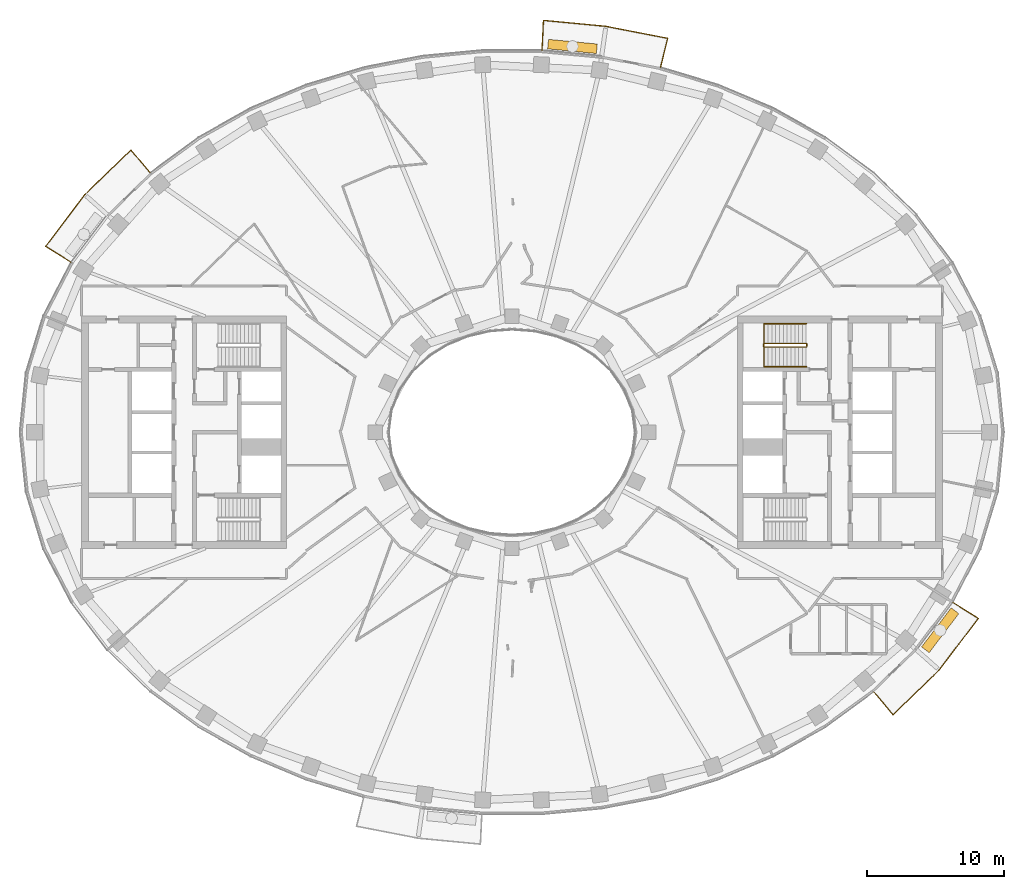
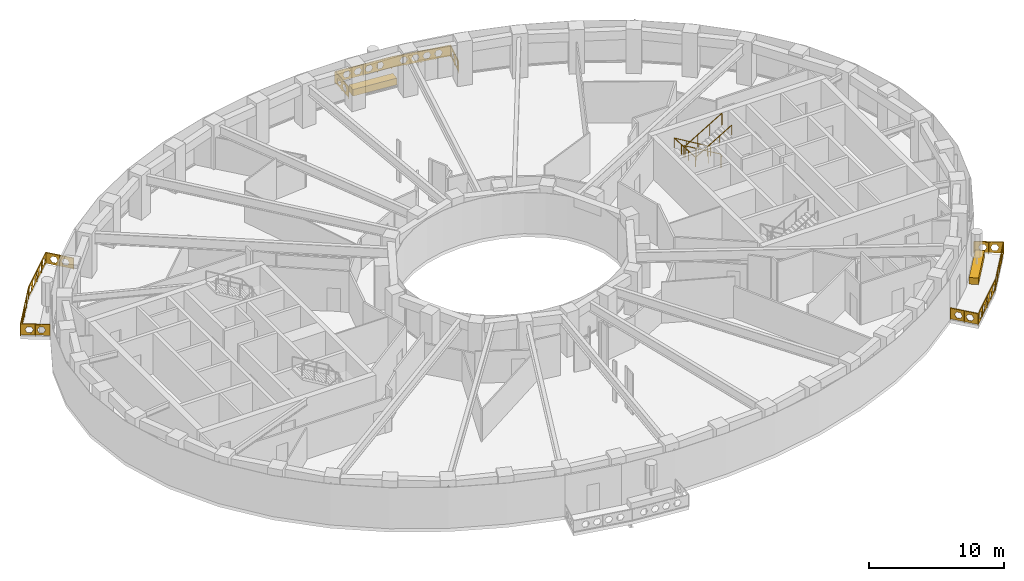
# One storey, part 16 of 17: 5 railings, 2 coverings.
"""IFC4 building model written with IfcOpenShell, lengths in metres."""

from ifc_helpers import new_model, si_unit, direction, frame, origin, origin_2d, place, context, subcontext, project, spatial, polyline, rectangle, outline, extrude, material, type_object, element, save


model = new_model("IFC4")

# Units and contexts
model_context = context("Model", 3, precision=1e-05, world=origin(), true_north=direction((0.0, 1.0)))
body_context = subcontext(model_context, "Body", "Model", "MODEL_VIEW")
ifc_project = project(units=[si_unit("LENGTHUNIT", "METRE"), si_unit("AREAUNIT", "SQUARE_METRE"), si_unit("VOLUMEUNIT", "CUBIC_METRE"), si_unit("PLANEANGLEUNIT", "RADIAN"), si_unit("MASSUNIT", "GRAM", prefix="KILO")], contexts=[model_context])

# Site, building, storey
site_placement = place(None, origin())
site = spatial("IfcSite", under=ifc_project, at=site_placement, CompositionType="ELEMENT")
building_placement = place(site_placement, origin())
building = spatial("IfcBuilding", under=site, at=building_placement, Name="Noorbagh Ring Tower", CompositionType="ELEMENT")
storey_placement = place(building_placement, frame((0.0, 0.0, 190.0)))
storey = spatial("IfcBuildingStorey", under=building, at=storey_placement, Name="L44", CompositionType="ELEMENT", Elevation=190.0)

# Railings
ifc_material_1 = material(Name="Stainless steel", Category="steel")
railing_type_1 = type_object("IfcRailingType", Name="CORE-STAIR-GUARD", PredefinedType="GUARDRAIL", material=ifc_material_1)
railing_1_placement = place(storey_placement, frame((21.580078125, 6.449951171875, 0.0)))
element("IfcRailing", 1, at=railing_1_placement, inside=storey, type_object=railing_type_1, Name="L44 ST3 stair guard", PredefinedType="GUARDRAIL", context=body_context, shape_type="SweptSolid", body=[
    extrude(rectangle(XDim=0.048095703125, YDim=0.048095703125, at=origin_2d()), frame((0.0, 0.0, 1.076171875), z_axis=(0.0, -1.0, 0.0), x_axis=(1.0, 0.0, 0.0)), (0.0, 0.0, 1.0), 0.14990234375),
    extrude(rectangle(XDim=0.048095703125, YDim=0.048095703125, at=origin_2d()), frame((0.0, -0.14990234375, 1.076171875), z_axis=(-0.188775798145, 0.754182335027, 0.628945707965), x_axis=(-0.970072785993, -0.242814311512, 0.0)), (0.0, 0.0, 1.0), 0.26513671875),
    extrude(rectangle(XDim=0.048095703125, YDim=0.048095703125, at=origin_2d()), frame((-0.050048828125, 0.050048828125, 1.24267578125), z_axis=(-0.859308565015, 0.0, 0.511457515432), x_axis=(0.0, -1.0, 0.0)), (0.0, 0.0, 1.0), 3.58447265625),
    extrude(rectangle(XDim=0.048095703125, YDim=0.048095703125, at=origin_2d()), frame((-3.130126953125, 0.050048828125, 3.076171875), z_axis=(-0.707106781187, -0.707106781187, 0.0), x_axis=(0.707106781187, -0.707106781187, 0.0)), (0.0, 0.0, 1.0), 0.07080078125),
    extrude(rectangle(XDim=0.048095703125, YDim=0.048095703125, at=origin_2d()), frame((-3.18017578125, 0.0, 3.076171875), z_axis=(0.0, -1.0, 0.0), x_axis=(1.0, 0.0, 0.0)), (0.0, 0.0, 1.0), 0.14990234375),
    extrude(rectangle(XDim=0.048095703125, YDim=0.048095703125, at=origin_2d()), frame((-3.18017578125, -0.14990234375, 3.076171875), z_axis=(0.27628659633, -0.27628659633, 0.920506074601), x_axis=(0.707106781187, 0.707106781187, 0.0)), (0.0, 0.0, 1.0), 0.18115234375),
    extrude(rectangle(XDim=0.048095703125, YDim=0.048095703125, at=origin_2d()), frame((-3.130126953125, -0.199951171875, 3.24267578125), z_axis=(0.859308565015, 0.0, 0.511457515432), x_axis=(0.0, 1.0, 0.0)), (0.0, 0.0, 1.0), 3.58447265625),
    extrude(rectangle(XDim=0.0419921875, YDim=0.0419921875, at=origin_2d()), origin(), (0.0, 0.0, 1.0), 1.052001953125),
    extrude(rectangle(XDim=0.0419921875, YDim=0.0419921875, at=origin_2d()), frame((-1.07666015625, 0.050048828125, 0.77783203125)), (0.0, 0.0, 1.0), 1.052001953125),
    extrude(rectangle(XDim=0.0419921875, YDim=0.0419921875, at=origin_2d()), frame((-2.103515625, 0.050048828125, 1.388916015625)), (0.0, 0.0, 1.0), 1.052001953125),
    extrude(rectangle(XDim=0.0419921875, YDim=0.0419921875, at=origin_2d()), frame((-3.130126953125, 0.050048828125, 2.0)), (0.0, 0.0, 1.0), 1.052001953125),
    extrude(rectangle(XDim=0.0419921875, YDim=0.0419921875, at=origin_2d()), frame((-3.130126953125, -0.199951171875, 2.166748046875)), (0.0, 0.0, 1.0), 1.052001953125),
    extrude(rectangle(XDim=0.0419921875, YDim=0.0419921875, at=origin_2d()), frame((-2.103515625, -0.199951171875, 2.77783203125)), (0.0, 0.0, 1.0), 1.052001953125),
    extrude(rectangle(XDim=0.0419921875, YDim=0.0419921875, at=origin_2d()), frame((-1.07666015625, -0.199951171875, 3.388916015625)), (0.0, 0.0, 1.0), 1.052001953125),
    extrude(rectangle(XDim=0.0419921875, YDim=0.0419921875, at=origin_2d()), frame((-0.050048828125, -0.199951171875, 4.0)), (0.0, 0.0, 1.0), 1.052001953125),
])
ifc_material_2 = material(Name="Stainless steel", Category="steel")
railing_type_2 = type_object("IfcRailingType", Name="CORE-STAIR-HANDRAIL", PredefinedType="HANDRAIL", material=ifc_material_2)
railing_2_placement = place(storey_placement, frame((21.530029296875, 7.949951171875, 0.166748046875)))
element("IfcRailing", 2, at=railing_2_placement, inside=storey, type_object=railing_type_2, Name="L44 ST3 stair handrail", PredefinedType="HANDRAIL", context=body_context, shape_type="SweptSolid", body=[
    extrude(rectangle(XDim=0.048095703125, YDim=0.048095703125, at=origin_2d()), frame((0.0, 0.0, 0.8759765625), z_axis=(-0.859308565015, 0.0, 0.511457515432), x_axis=(0.0, -1.0, 0.0)), (0.0, 0.0, 1.0), 3.58447265625),
    extrude(rectangle(XDim=0.048095703125, YDim=0.048095703125, at=origin_2d()), frame((-3.080078125, 0.0, 2.708984375), z_axis=(0.0, -0.998601747152, 0.052863509014), x_axis=(1.0, 0.0, 0.0)), (0.0, 0.0, 1.0), 3.154296875),
    extrude(rectangle(XDim=0.048095703125, YDim=0.048095703125, at=origin_2d()), frame((-3.080078125, -3.14990234375, 2.8759765625), z_axis=(0.859308565015, 0.0, 0.511457515432), x_axis=(0.0, 1.0, 0.0)), (0.0, 0.0, 1.0), 3.58447265625),
    extrude(rectangle(XDim=0.0419921875, YDim=0.0419921875, at=origin_2d()), origin(), (0.0, 0.0, 1.0), 0.851806640625),
    extrude(rectangle(XDim=0.0419921875, YDim=0.0419921875, at=origin_2d()), frame((-1.026611328125, 0.0, 0.611083984375)), (0.0, 0.0, 1.0), 0.851806640625),
    extrude(rectangle(XDim=0.0419921875, YDim=0.0419921875, at=origin_2d()), frame((-2.053466796875, 0.0, 1.22216796875)), (0.0, 0.0, 1.0), 0.851806640625),
    extrude(rectangle(XDim=0.0419921875, YDim=0.0419921875, at=origin_2d()), frame((-3.080078125, 0.0, 1.833251953125)), (0.0, 0.0, 1.0), 0.851806640625),
    extrude(rectangle(XDim=0.0419921875, YDim=0.0419921875, at=origin_2d()), frame((-3.080078125, -1.050048828125, 1.888916015625)), (0.0, 0.0, 1.0), 0.851806640625),
    extrude(rectangle(XDim=0.0419921875, YDim=0.0419921875, at=origin_2d()), frame((-3.080078125, -2.099853515625, 1.9443359375)), (0.0, 0.0, 1.0), 0.851806640625),
    extrude(rectangle(XDim=0.0419921875, YDim=0.0419921875, at=origin_2d()), frame((-3.080078125, -3.14990234375, 2.0)), (0.0, 0.0, 1.0), 0.851806640625),
    extrude(rectangle(XDim=0.0419921875, YDim=0.0419921875, at=origin_2d()), frame((-2.053466796875, -3.14990234375, 2.611083984375)), (0.0, 0.0, 1.0), 0.851806640625),
    extrude(rectangle(XDim=0.0419921875, YDim=0.0419921875, at=origin_2d()), frame((-1.026611328125, -3.14990234375, 3.22216796875)), (0.0, 0.0, 1.0), 0.851806640625),
    extrude(rectangle(XDim=0.0419921875, YDim=0.0419921875, at=origin_2d()), frame((0.0, -3.14990234375, 3.833251953125)), (0.0, 0.0, 1.0), 0.851806640625),
])
ifc_material_3 = material(Name="Steel S275 black powder-coated", Category="steel")
railing_type_3 = type_object("IfcRailingType", Name="ENV-GUARD", PredefinedType="GUARDRAIL", material=ifc_material_3)
railing_3_placement = place(storey_placement, frame((10.865234375, 26.6943359375, 0.0)))
element("IfcRailing", 3, at=railing_3_placement, inside=storey, type_object=railing_type_3, Name="Balcony guard BN03", PredefinedType="GUARDRAIL", context=body_context, shape_type="SweptSolid", body=[
    extrude(rectangle(XDim=0.048095703125, YDim=0.048095703125, at=origin_2d()), frame((0.0, 0.0, 1.076171875), z_axis=(0.239848558412, 0.970810315679, 0.0), x_axis=(-0.970810315679, 0.239848558412, 0.0)), (0.0, 0.0, 1.0), 2.20263671875),
    extrude(rectangle(XDim=0.048095703125, YDim=0.048095703125, at=origin_2d()), frame((0.5283203125, 2.138427734375, 1.076171875), z_axis=(-0.981625049064, 0.1908199755, 0.0), x_axis=(-0.1908199755, -0.981625049064, 0.0)), (0.0, 0.0, 1.0), 4.603271484375),
    extrude(rectangle(XDim=0.048095703125, YDim=0.048095703125, at=origin_2d()), frame((-3.990478515625, 3.016845703125, 1.076171875), z_axis=(-0.995477555764, 0.094997031379, 0.0), x_axis=(-0.094997031379, -0.995477555764, 0.0)), (0.0, 0.0, 1.0), 4.59765625),
    extrude(rectangle(XDim=0.048095703125, YDim=0.048095703125, at=origin_2d()), frame((-8.5673828125, 3.45361328125, 1.076171875), z_axis=(-0.047554616162, -0.998868639252, 0.0), x_axis=(0.998868639252, -0.047554616162, 0.0)), (0.0, 0.0, 1.0), 2.202392578125),
    extrude(rectangle(XDim=0.0419921875, YDim=0.0419921875, at=origin_2d()), origin(), (0.0, 0.0, 1.0), 1.052001953125),
    extrude(rectangle(XDim=0.0419921875, YDim=0.0419921875, at=origin_2d()), frame((0.26416015625, 1.0693359375, 0.0)), (0.0, 0.0, 1.0), 1.052001953125),
    extrude(rectangle(XDim=0.0419921875, YDim=0.0419921875, at=origin_2d()), frame((0.5283203125, 2.138427734375, 0.0)), (0.0, 0.0, 1.0), 1.052001953125),
    extrude(rectangle(XDim=0.0419921875, YDim=0.0419921875, at=origin_2d()), frame((-0.601318359375, 2.35791015625, 0.0)), (0.0, 0.0, 1.0), 1.052001953125),
    extrude(rectangle(XDim=0.0419921875, YDim=0.0419921875, at=origin_2d()), frame((-1.73095703125, 2.57763671875, 0.0)), (0.0, 0.0, 1.0), 1.052001953125),
    extrude(rectangle(XDim=0.0419921875, YDim=0.0419921875, at=origin_2d()), frame((-2.86083984375, 2.79736328125, 0.0)), (0.0, 0.0, 1.0), 1.052001953125),
    extrude(rectangle(XDim=0.0419921875, YDim=0.0419921875, at=origin_2d()), frame((-3.990478515625, 3.016845703125, 0.0)), (0.0, 0.0, 1.0), 1.052001953125),
    extrude(rectangle(XDim=0.0419921875, YDim=0.0419921875, at=origin_2d()), frame((-5.134765625, 3.1259765625, 0.0)), (0.0, 0.0, 1.0), 1.052001953125),
    extrude(rectangle(XDim=0.0419921875, YDim=0.0419921875, at=origin_2d()), frame((-6.27880859375, 3.2353515625, 0.0)), (0.0, 0.0, 1.0), 1.052001953125),
    extrude(rectangle(XDim=0.0419921875, YDim=0.0419921875, at=origin_2d()), frame((-7.423095703125, 3.344482421875, 0.0)), (0.0, 0.0, 1.0), 1.052001953125),
    extrude(rectangle(XDim=0.0419921875, YDim=0.0419921875, at=origin_2d()), frame((-8.5673828125, 3.45361328125, 0.0)), (0.0, 0.0, 1.0), 1.052001953125),
    extrude(rectangle(XDim=0.0419921875, YDim=0.0419921875, at=origin_2d()), frame((-8.61962890625, 2.353515625, 0.0)), (0.0, 0.0, 1.0), 1.052001953125),
    extrude(rectangle(XDim=0.0419921875, YDim=0.0419921875, at=origin_2d()), frame((-8.672119140625, 1.253662109375, 0.0)), (0.0, 0.0, 1.0), 1.052001953125),
    extrude(outline(polyline([(0.0, 0.10009765625), (2.20263671875, 0.10009765625), (2.20263671875, 1.031982421875), (0.0, 1.031982421875), (0.0, 0.10009765625)]), holes=[polyline([(0.96142578125, 0.56591796875), (0.806396484375, 0.83447265625), (0.496337890625, 0.83447265625), (0.34130859375, 0.56591796875), (0.496337890625, 0.297607421875), (0.806396484375, 0.297607421875), (0.96142578125, 0.56591796875)]), polyline([(1.861328125, 0.56591796875), (1.706298828125, 0.83447265625), (1.396240234375, 0.83447265625), (1.241455078125, 0.56591796875), (1.396240234375, 0.297607421875), (1.706298828125, 0.297607421875), (1.861328125, 0.56591796875)])]), frame((-0.009765625, 0.00244140625, 0.0), z_axis=(0.970810315679, -0.239848558412, 0.0), x_axis=(0.239848558412, 0.970810315679, 0.0)), (0.0, 0.0, 1.0), 0.02001953125),
    extrude(outline(polyline([(0.0, 0.10009765625), (4.603271484375, 0.10009765625), (4.603271484375, 1.031982421875), (0.0, 1.031982421875), (0.0, 0.10009765625)]), holes=[polyline([(1.26171875, 0.56591796875), (1.106689453125, 0.83447265625), (0.796630859375, 0.83447265625), (0.6416015625, 0.56591796875), (0.796630859375, 0.297607421875), (1.106689453125, 0.297607421875), (1.26171875, 0.56591796875)]), polyline([(2.16162109375, 0.56591796875), (2.006591796875, 0.83447265625), (1.69677734375, 0.83447265625), (1.541748046875, 0.56591796875), (1.69677734375, 0.297607421875), (2.006591796875, 0.297607421875), (2.16162109375, 0.56591796875)]), polyline([(3.061767578125, 0.56591796875), (2.90673828125, 0.83447265625), (2.5966796875, 0.83447265625), (2.441650390625, 0.56591796875), (2.5966796875, 0.297607421875), (2.90673828125, 0.297607421875), (3.061767578125, 0.56591796875)]), polyline([(3.961669921875, 0.56591796875), (3.806640625, 0.83447265625), (3.49658203125, 0.83447265625), (3.341796875, 0.56591796875), (3.49658203125, 0.297607421875), (3.806640625, 0.297607421875), (3.961669921875, 0.56591796875)])]), frame((0.5263671875, 2.128662109375, 0.0), z_axis=(0.1908199755, 0.981625049064, 0.0), x_axis=(-0.981625049064, 0.1908199755, 0.0)), (0.0, 0.0, 1.0), 0.02001953125),
    extrude(outline(polyline([(0.0, 0.10009765625), (4.59765625, 0.10009765625), (4.59765625, 1.031982421875), (0.0, 1.031982421875), (0.0, 0.10009765625)]), holes=[polyline([(1.2587890625, 0.56591796875), (1.103759765625, 0.83447265625), (0.7939453125, 0.83447265625), (0.638916015625, 0.56591796875), (0.7939453125, 0.297607421875), (1.103759765625, 0.297607421875), (1.2587890625, 0.56591796875)]), polyline([(2.158935546875, 0.56591796875), (2.00390625, 0.83447265625), (1.69384765625, 0.83447265625), (1.538818359375, 0.56591796875), (1.69384765625, 0.297607421875), (2.00390625, 0.297607421875), (2.158935546875, 0.56591796875)]), polyline([(3.058837890625, 0.56591796875), (2.90380859375, 0.83447265625), (2.59375, 0.83447265625), (2.43896484375, 0.56591796875), (2.59375, 0.297607421875), (2.90380859375, 0.297607421875), (3.058837890625, 0.56591796875)]), polyline([(3.958740234375, 0.56591796875), (3.803955078125, 0.83447265625), (3.493896484375, 0.83447265625), (3.3388671875, 0.56591796875), (3.493896484375, 0.297607421875), (3.803955078125, 0.297607421875), (3.958740234375, 0.56591796875)])]), frame((-3.991455078125, 3.0068359375, 0.0), z_axis=(0.094997031379, 0.995477555764, 0.0), x_axis=(-0.995477555764, 0.094997031379, 0.0)), (0.0, 0.0, 1.0), 0.02001953125),
    extrude(outline(polyline([(0.0, 0.10009765625), (2.202392578125, 0.10009765625), (2.202392578125, 1.031982421875), (0.0, 1.031982421875), (0.0, 0.10009765625)]), holes=[polyline([(0.961181640625, 0.56591796875), (0.80615234375, 0.83447265625), (0.496337890625, 0.83447265625), (0.34130859375, 0.56591796875), (0.496337890625, 0.297607421875), (0.80615234375, 0.297607421875), (0.961181640625, 0.56591796875)]), polyline([(1.861328125, 0.56591796875), (1.706298828125, 0.83447265625), (1.396240234375, 0.83447265625), (1.2412109375, 0.56591796875), (1.396240234375, 0.297607421875), (1.706298828125, 0.297607421875), (1.861328125, 0.56591796875)])]), frame((-8.557373046875, 3.453125, 0.0), z_axis=(-0.998868639252, 0.047554616162, 0.0), x_axis=(-0.047554616162, -0.998868639252, 0.0)), (0.0, 0.0, 1.0), 0.02001953125),
])
railing_4_placement = place(storey_placement, frame((-26.463134765625, 18.983154296875, 0.0)))
element("IfcRailing", 4, at=railing_4_placement, inside=storey, type_object=railing_type_3, Name="Balcony guard BN06", PredefinedType="GUARDRAIL", context=body_context, shape_type="SweptSolid", body=[
    extrude(rectangle(XDim=0.048095703125, YDim=0.048095703125, at=origin_2d()), frame((0.0, 0.0, 1.076171875), z_axis=(-0.646413574048, 0.762987215677, 0.0), x_axis=(-0.762987215677, -0.646413574048, 0.0)), (0.0, 0.0, 1.0), 2.205322265625),
    extrude(rectangle(XDim=0.048095703125, YDim=0.048095703125, at=origin_2d()), frame((-1.425537109375, 1.6826171875, 1.076171875), z_axis=(-0.717212632946, -0.696854388766, 0.0), x_axis=(0.696854388766, -0.717212632946, 0.0)), (0.0, 0.0, 1.0), 4.700927734375),
    extrude(rectangle(XDim=0.048095703125, YDim=0.048095703125, at=origin_2d()), frame((-4.797119140625, -1.59326171875, 1.076171875), z_axis=(-0.604001613322, -0.796983093362, 0.0), x_axis=(0.796983093362, -0.604001613322, 0.0)), (0.0, 0.0, 1.0), 4.7353515625),
    extrude(rectangle(XDim=0.048095703125, YDim=0.048095703125, at=origin_2d()), frame((-7.6572265625, -5.3671875, 1.076171875), z_axis=(0.844852397829, -0.534999463442, 0.0), x_axis=(0.534999463442, 0.844852397829, 0.0)), (0.0, 0.0, 1.0), 2.207763671875),
    extrude(rectangle(XDim=0.0419921875, YDim=0.0419921875, at=origin_2d()), origin(), (0.0, 0.0, 1.0), 1.052001953125),
    extrude(rectangle(XDim=0.0419921875, YDim=0.0419921875, at=origin_2d()), frame((-0.712890625, 0.84130859375, 0.0)), (0.0, 0.0, 1.0), 1.052001953125),
    extrude(rectangle(XDim=0.0419921875, YDim=0.0419921875, at=origin_2d()), frame((-1.425537109375, 1.6826171875, 0.0)), (0.0, 0.0, 1.0), 1.052001953125),
    extrude(rectangle(XDim=0.0419921875, YDim=0.0419921875, at=origin_2d()), frame((-2.2685546875, 0.86376953125, 0.0)), (0.0, 0.0, 1.0), 1.052001953125),
    extrude(rectangle(XDim=0.0419921875, YDim=0.0419921875, at=origin_2d()), frame((-3.111328125, 0.044677734375, 0.0)), (0.0, 0.0, 1.0), 1.052001953125),
    extrude(rectangle(XDim=0.0419921875, YDim=0.0419921875, at=origin_2d()), frame((-3.9541015625, -0.7744140625, 0.0)), (0.0, 0.0, 1.0), 1.052001953125),
    extrude(rectangle(XDim=0.0419921875, YDim=0.0419921875, at=origin_2d()), frame((-4.797119140625, -1.59326171875, 0.0)), (0.0, 0.0, 1.0), 1.052001953125),
    extrude(rectangle(XDim=0.0419921875, YDim=0.0419921875, at=origin_2d()), frame((-5.51220703125, -2.53662109375, 0.0)), (0.0, 0.0, 1.0), 1.052001953125),
    extrude(rectangle(XDim=0.0419921875, YDim=0.0419921875, at=origin_2d()), frame((-6.22705078125, -3.480224609375, 0.0)), (0.0, 0.0, 1.0), 1.052001953125),
    extrude(rectangle(XDim=0.0419921875, YDim=0.0419921875, at=origin_2d()), frame((-6.942138671875, -4.423828125, 0.0)), (0.0, 0.0, 1.0), 1.052001953125),
    extrude(rectangle(XDim=0.0419921875, YDim=0.0419921875, at=origin_2d()), frame((-7.6572265625, -5.3671875, 0.0)), (0.0, 0.0, 1.0), 1.052001953125),
    extrude(rectangle(XDim=0.0419921875, YDim=0.0419921875, at=origin_2d()), frame((-6.724609375, -5.957763671875, 0.0)), (0.0, 0.0, 1.0), 1.052001953125),
    extrude(rectangle(XDim=0.0419921875, YDim=0.0419921875, at=origin_2d()), frame((-5.7919921875, -6.54833984375, 0.0)), (0.0, 0.0, 1.0), 1.052001953125),
    extrude(outline(polyline([(0.0, 0.10009765625), (2.205322265625, 0.10009765625), (2.205322265625, 1.031982421875), (0.0, 1.031982421875), (0.0, 0.10009765625)]), holes=[polyline([(0.962646484375, 0.56591796875), (0.8076171875, 0.83447265625), (0.49755859375, 0.83447265625), (0.342529296875, 0.56591796875), (0.49755859375, 0.297607421875), (0.8076171875, 0.297607421875), (0.962646484375, 0.56591796875)]), polyline([(1.862548828125, 0.56591796875), (1.707763671875, 0.83447265625), (1.397705078125, 0.83447265625), (1.24267578125, 0.56591796875), (1.397705078125, 0.297607421875), (1.707763671875, 0.297607421875), (1.862548828125, 0.56591796875)])]), frame((-0.007568359375, -0.00634765625, 0.0), z_axis=(0.762987215677, 0.646413574048, 0.0), x_axis=(-0.646413574048, 0.762987215677, 0.0)), (0.0, 0.0, 1.0), 0.02001953125),
    extrude(outline(polyline([(0.0, 0.10009765625), (4.700927734375, 0.10009765625), (4.700927734375, 1.031982421875), (0.0, 1.031982421875), (0.0, 0.10009765625)]), holes=[polyline([(0.860595703125, 0.56591796875), (0.70556640625, 0.83447265625), (0.3955078125, 0.83447265625), (0.240478515625, 0.56591796875), (0.3955078125, 0.297607421875), (0.70556640625, 0.297607421875), (0.860595703125, 0.56591796875)]), polyline([(1.760498046875, 0.56591796875), (1.60546875, 0.83447265625), (1.29541015625, 0.83447265625), (1.140380859375, 0.56591796875), (1.29541015625, 0.297607421875), (1.60546875, 0.297607421875), (1.760498046875, 0.56591796875)]), polyline([(2.660400390625, 0.56591796875), (2.50537109375, 0.83447265625), (2.195556640625, 0.83447265625), (2.04052734375, 0.56591796875), (2.195556640625, 0.297607421875), (2.50537109375, 0.297607421875), (2.660400390625, 0.56591796875)]), polyline([(3.560546875, 0.56591796875), (3.405517578125, 0.83447265625), (3.095458984375, 0.83447265625), (2.9404296875, 0.56591796875), (3.095458984375, 0.297607421875), (3.405517578125, 0.297607421875), (3.560546875, 0.56591796875)]), polyline([(4.46044921875, 0.56591796875), (4.305419921875, 0.83447265625), (3.995361328125, 0.83447265625), (3.840576171875, 0.56591796875), (3.995361328125, 0.297607421875), (4.305419921875, 0.297607421875), (4.46044921875, 0.56591796875)])]), frame((-1.41845703125, 1.675537109375, 0.0), z_axis=(-0.696854388766, 0.717212632946, 0.0), x_axis=(-0.717212632946, -0.696854388766, 0.0)), (0.0, 0.0, 1.0), 0.02001953125),
    extrude(outline(polyline([(0.0, 0.10009765625), (4.7353515625, 0.10009765625), (4.7353515625, 1.031982421875), (0.0, 1.031982421875), (0.0, 0.10009765625)]), holes=[polyline([(0.877685546875, 0.56591796875), (0.72265625, 0.83447265625), (0.41259765625, 0.83447265625), (0.257568359375, 0.56591796875), (0.41259765625, 0.297607421875), (0.72265625, 0.297607421875), (0.877685546875, 0.56591796875)]), polyline([(1.777587890625, 0.56591796875), (1.62255859375, 0.83447265625), (1.312744140625, 0.83447265625), (1.15771484375, 0.56591796875), (1.312744140625, 0.297607421875), (1.62255859375, 0.297607421875), (1.777587890625, 0.56591796875)]), polyline([(2.677734375, 0.56591796875), (2.522705078125, 0.83447265625), (2.212646484375, 0.83447265625), (2.0576171875, 0.56591796875), (2.212646484375, 0.297607421875), (2.522705078125, 0.297607421875), (2.677734375, 0.56591796875)]), polyline([(3.57763671875, 0.56591796875), (3.422607421875, 0.83447265625), (3.112548828125, 0.83447265625), (2.95751953125, 0.56591796875), (3.112548828125, 0.297607421875), (3.422607421875, 0.297607421875), (3.57763671875, 0.56591796875)]), polyline([(4.4775390625, 0.56591796875), (4.32275390625, 0.83447265625), (4.0126953125, 0.83447265625), (3.857666015625, 0.56591796875), (4.0126953125, 0.297607421875), (4.32275390625, 0.297607421875), (4.4775390625, 0.56591796875)])]), frame((-4.7890625, -1.599365234375, 0.0), z_axis=(-0.796983093362, 0.604001613322, 0.0), x_axis=(-0.604001613322, -0.796983093362, 0.0)), (0.0, 0.0, 1.0), 0.02001953125),
    extrude(outline(polyline([(0.0, 0.10009765625), (2.207763671875, 0.10009765625), (2.207763671875, 1.031982421875), (0.0, 1.031982421875), (0.0, 0.10009765625)]), holes=[polyline([(0.9638671875, 0.56591796875), (0.808837890625, 0.83447265625), (0.498779296875, 0.83447265625), (0.343994140625, 0.56591796875), (0.498779296875, 0.297607421875), (0.808837890625, 0.297607421875), (0.9638671875, 0.56591796875)]), polyline([(1.86376953125, 0.56591796875), (1.708984375, 0.83447265625), (1.39892578125, 0.83447265625), (1.243896484375, 0.56591796875), (1.39892578125, 0.297607421875), (1.708984375, 0.297607421875), (1.86376953125, 0.56591796875)])]), frame((-7.65185546875, -5.358642578125, 0.0), z_axis=(-0.534999463442, -0.844852397829, 0.0), x_axis=(0.844852397829, -0.534999463442, 0.0)), (0.0, 0.0, 1.0), 0.02001953125),
])
railing_5_placement = place(storey_placement, frame((26.463134765625, -18.983154296875, 0.0)))
element("IfcRailing", 5, at=railing_5_placement, inside=storey, type_object=railing_type_3, Name="Balcony guard BS06", PredefinedType="GUARDRAIL", context=body_context, shape_type="SweptSolid", body=[
    extrude(rectangle(XDim=0.048095703125, YDim=0.048095703125, at=origin_2d()), frame((0.0, 0.0, 1.076171875), z_axis=(0.646413574048, -0.762987215677, 0.0), x_axis=(0.762987215677, 0.646413574048, 0.0)), (0.0, 0.0, 1.0), 2.205322265625),
    extrude(rectangle(XDim=0.048095703125, YDim=0.048095703125, at=origin_2d()), frame((1.425537109375, -1.6826171875, 1.076171875), z_axis=(0.717212632946, 0.696854388766, 0.0), x_axis=(-0.696854388766, 0.717212632946, 0.0)), (0.0, 0.0, 1.0), 4.700927734375),
    extrude(rectangle(XDim=0.048095703125, YDim=0.048095703125, at=origin_2d()), frame((4.797119140625, 1.59326171875, 1.076171875), z_axis=(0.604001613322, 0.796983093362, 0.0), x_axis=(-0.796983093362, 0.604001613322, 0.0)), (0.0, 0.0, 1.0), 4.7353515625),
    extrude(rectangle(XDim=0.048095703125, YDim=0.048095703125, at=origin_2d()), frame((7.6572265625, 5.3671875, 1.076171875), z_axis=(-0.844852397829, 0.534999463442, 0.0), x_axis=(-0.534999463442, -0.844852397829, 0.0)), (0.0, 0.0, 1.0), 2.207763671875),
    extrude(rectangle(XDim=0.0419921875, YDim=0.0419921875, at=origin_2d()), origin(), (0.0, 0.0, 1.0), 1.052001953125),
    extrude(rectangle(XDim=0.0419921875, YDim=0.0419921875, at=origin_2d()), frame((0.712890625, -0.84130859375, 0.0)), (0.0, 0.0, 1.0), 1.052001953125),
    extrude(rectangle(XDim=0.0419921875, YDim=0.0419921875, at=origin_2d()), frame((1.425537109375, -1.6826171875, 0.0)), (0.0, 0.0, 1.0), 1.052001953125),
    extrude(rectangle(XDim=0.0419921875, YDim=0.0419921875, at=origin_2d()), frame((2.2685546875, -0.86376953125, 0.0)), (0.0, 0.0, 1.0), 1.052001953125),
    extrude(rectangle(XDim=0.0419921875, YDim=0.0419921875, at=origin_2d()), frame((3.111328125, -0.044677734375, 0.0)), (0.0, 0.0, 1.0), 1.052001953125),
    extrude(rectangle(XDim=0.0419921875, YDim=0.0419921875, at=origin_2d()), frame((3.9541015625, 0.7744140625, 0.0)), (0.0, 0.0, 1.0), 1.052001953125),
    extrude(rectangle(XDim=0.0419921875, YDim=0.0419921875, at=origin_2d()), frame((4.797119140625, 1.59326171875, 0.0)), (0.0, 0.0, 1.0), 1.052001953125),
    extrude(rectangle(XDim=0.0419921875, YDim=0.0419921875, at=origin_2d()), frame((5.51220703125, 2.53662109375, 0.0)), (0.0, 0.0, 1.0), 1.052001953125),
    extrude(rectangle(XDim=0.0419921875, YDim=0.0419921875, at=origin_2d()), frame((6.22705078125, 3.480224609375, 0.0)), (0.0, 0.0, 1.0), 1.052001953125),
    extrude(rectangle(XDim=0.0419921875, YDim=0.0419921875, at=origin_2d()), frame((6.942138671875, 4.423828125, 0.0)), (0.0, 0.0, 1.0), 1.052001953125),
    extrude(rectangle(XDim=0.0419921875, YDim=0.0419921875, at=origin_2d()), frame((7.6572265625, 5.3671875, 0.0)), (0.0, 0.0, 1.0), 1.052001953125),
    extrude(rectangle(XDim=0.0419921875, YDim=0.0419921875, at=origin_2d()), frame((6.724609375, 5.957763671875, 0.0)), (0.0, 0.0, 1.0), 1.052001953125),
    extrude(rectangle(XDim=0.0419921875, YDim=0.0419921875, at=origin_2d()), frame((5.7919921875, 6.54833984375, 0.0)), (0.0, 0.0, 1.0), 1.052001953125),
    extrude(outline(polyline([(0.0, 0.10009765625), (2.205322265625, 0.10009765625), (2.205322265625, 1.031982421875), (0.0, 1.031982421875), (0.0, 0.10009765625)]), holes=[polyline([(0.962646484375, 0.56591796875), (0.8076171875, 0.83447265625), (0.49755859375, 0.83447265625), (0.342529296875, 0.56591796875), (0.49755859375, 0.297607421875), (0.8076171875, 0.297607421875), (0.962646484375, 0.56591796875)]), polyline([(1.862548828125, 0.56591796875), (1.707763671875, 0.83447265625), (1.397705078125, 0.83447265625), (1.24267578125, 0.56591796875), (1.397705078125, 0.297607421875), (1.707763671875, 0.297607421875), (1.862548828125, 0.56591796875)])]), frame((0.007568359375, 0.00634765625, 0.0), z_axis=(-0.762987215677, -0.646413574048, 0.0), x_axis=(0.646413574048, -0.762987215677, 0.0)), (0.0, 0.0, 1.0), 0.02001953125),
    extrude(outline(polyline([(0.0, 0.10009765625), (4.700927734375, 0.10009765625), (4.700927734375, 1.031982421875), (0.0, 1.031982421875), (0.0, 0.10009765625)]), holes=[polyline([(0.860595703125, 0.56591796875), (0.70556640625, 0.83447265625), (0.3955078125, 0.83447265625), (0.240478515625, 0.56591796875), (0.3955078125, 0.297607421875), (0.70556640625, 0.297607421875), (0.860595703125, 0.56591796875)]), polyline([(1.760498046875, 0.56591796875), (1.60546875, 0.83447265625), (1.29541015625, 0.83447265625), (1.140380859375, 0.56591796875), (1.29541015625, 0.297607421875), (1.60546875, 0.297607421875), (1.760498046875, 0.56591796875)]), polyline([(2.660400390625, 0.56591796875), (2.50537109375, 0.83447265625), (2.195556640625, 0.83447265625), (2.04052734375, 0.56591796875), (2.195556640625, 0.297607421875), (2.50537109375, 0.297607421875), (2.660400390625, 0.56591796875)]), polyline([(3.560546875, 0.56591796875), (3.405517578125, 0.83447265625), (3.095458984375, 0.83447265625), (2.9404296875, 0.56591796875), (3.095458984375, 0.297607421875), (3.405517578125, 0.297607421875), (3.560546875, 0.56591796875)]), polyline([(4.46044921875, 0.56591796875), (4.305419921875, 0.83447265625), (3.995361328125, 0.83447265625), (3.840576171875, 0.56591796875), (3.995361328125, 0.297607421875), (4.305419921875, 0.297607421875), (4.46044921875, 0.56591796875)])]), frame((1.41845703125, -1.675537109375, 0.0), z_axis=(0.696854388766, -0.717212632946, 0.0), x_axis=(0.717212632946, 0.696854388766, 0.0)), (0.0, 0.0, 1.0), 0.02001953125),
    extrude(outline(polyline([(0.0, 0.10009765625), (4.7353515625, 0.10009765625), (4.7353515625, 1.031982421875), (0.0, 1.031982421875), (0.0, 0.10009765625)]), holes=[polyline([(0.877685546875, 0.56591796875), (0.72265625, 0.83447265625), (0.41259765625, 0.83447265625), (0.257568359375, 0.56591796875), (0.41259765625, 0.297607421875), (0.72265625, 0.297607421875), (0.877685546875, 0.56591796875)]), polyline([(1.777587890625, 0.56591796875), (1.62255859375, 0.83447265625), (1.312744140625, 0.83447265625), (1.15771484375, 0.56591796875), (1.312744140625, 0.297607421875), (1.62255859375, 0.297607421875), (1.777587890625, 0.56591796875)]), polyline([(2.677734375, 0.56591796875), (2.522705078125, 0.83447265625), (2.212646484375, 0.83447265625), (2.0576171875, 0.56591796875), (2.212646484375, 0.297607421875), (2.522705078125, 0.297607421875), (2.677734375, 0.56591796875)]), polyline([(3.57763671875, 0.56591796875), (3.422607421875, 0.83447265625), (3.112548828125, 0.83447265625), (2.95751953125, 0.56591796875), (3.112548828125, 0.297607421875), (3.422607421875, 0.297607421875), (3.57763671875, 0.56591796875)]), polyline([(4.4775390625, 0.56591796875), (4.32275390625, 0.83447265625), (4.0126953125, 0.83447265625), (3.857666015625, 0.56591796875), (4.0126953125, 0.297607421875), (4.32275390625, 0.297607421875), (4.4775390625, 0.56591796875)])]), frame((4.7890625, 1.599365234375, 0.0), z_axis=(0.796983093362, -0.604001613322, 0.0), x_axis=(0.604001613322, 0.796983093362, 0.0)), (0.0, 0.0, 1.0), 0.02001953125),
    extrude(outline(polyline([(0.0, 0.10009765625), (2.207763671875, 0.10009765625), (2.207763671875, 1.031982421875), (0.0, 1.031982421875), (0.0, 0.10009765625)]), holes=[polyline([(0.9638671875, 0.56591796875), (0.808837890625, 0.83447265625), (0.498779296875, 0.83447265625), (0.343994140625, 0.56591796875), (0.498779296875, 0.297607421875), (0.808837890625, 0.297607421875), (0.9638671875, 0.56591796875)]), polyline([(1.86376953125, 0.56591796875), (1.708984375, 0.83447265625), (1.39892578125, 0.83447265625), (1.243896484375, 0.56591796875), (1.39892578125, 0.297607421875), (1.708984375, 0.297607421875), (1.86376953125, 0.56591796875)])]), frame((7.65185546875, 5.358642578125, 0.0), z_axis=(0.534999463442, 0.844852397829, 0.0), x_axis=(-0.844852397829, 0.534999463442, 0.0)), (0.0, 0.0, 1.0), 0.02001953125),
])

# Coverings
ifc_material_4 = material(Name="Concrete C30/37 planter with soil", Category="concrete")
covering_type = type_object("IfcCoveringType", Name="ENV-PLANTER", PredefinedType="CLADDING", material=ifc_material_4)
covering_1_placement = place(storey_placement, frame((4.423828125, 28.2373046875, 0.0), z_axis=(0.0, 0.0, 1.0), x_axis=(-0.995476497323, 0.095008122171, 0.0)))
element("IfcCovering", 6, at=covering_1_placement, inside=storey, type_object=covering_type, Name="PLANTER BN03", ObjectType="PLANTER", PredefinedType="CLADDING", context=body_context, shape_type="SweptSolid", body=[
    extrude(rectangle(XDim=3.58642578125, YDim=0.699951171875, at=origin_2d()), origin(), (0.0, 0.0, 1.0), 0.60009765625),
])
covering_2_placement = place(storey_placement, frame((31.329833984375, -14.4833984375, 0.0), z_axis=(0.0, 0.0, 1.0), x_axis=(0.604020184358, 0.796969018776, 0.0)))
element("IfcCovering", 7, at=covering_2_placement, inside=storey, type_object=covering_type, Name="PLANTER BS06", ObjectType="PLANTER", PredefinedType="CLADDING", context=body_context, shape_type="SweptSolid", body=[
    extrude(rectangle(XDim=3.583251953125, YDim=0.699951171875, at=origin_2d()), origin(), (0.0, 0.0, 1.0), 0.60009765625),
])

save(model, "model.ifc")
